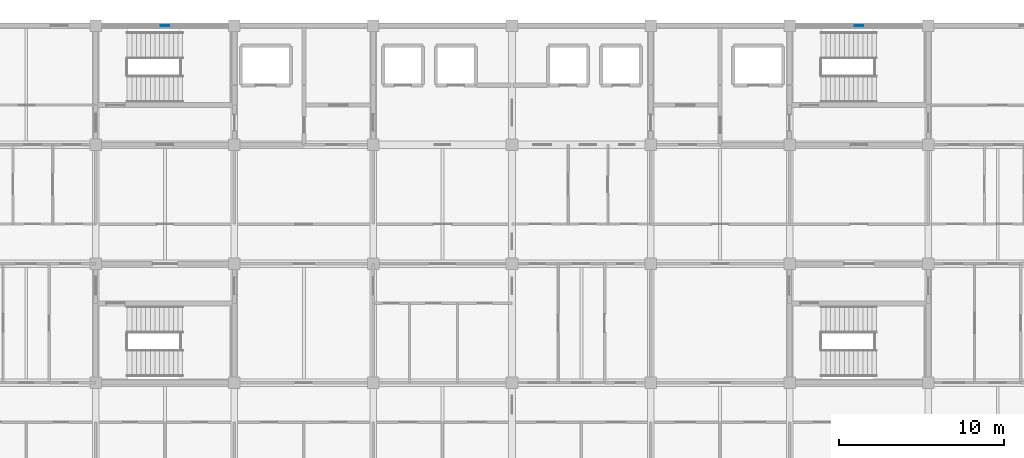
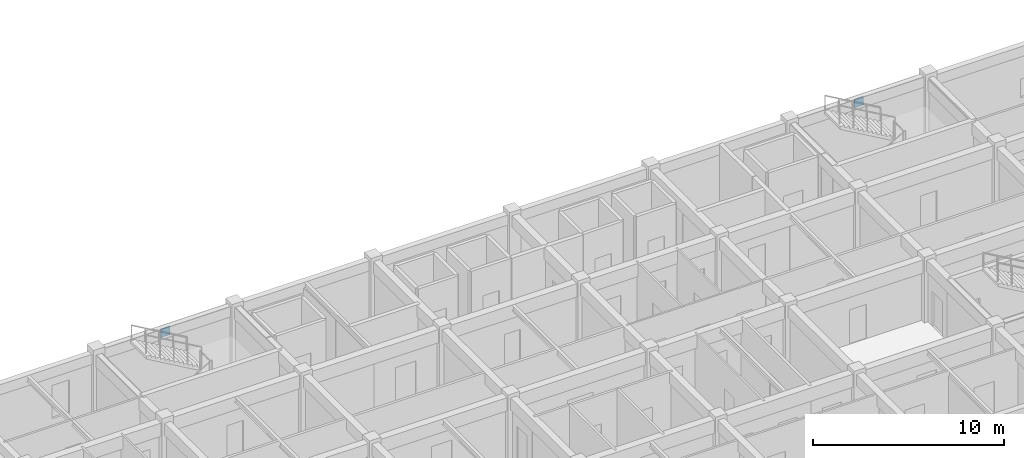
# One storey, part 9 of 19: 2 plates.
"""IFC4 building model written with IfcOpenShell, lengths in metres."""

from ifc_helpers import new_model, si_unit, direction, frame, origin, origin_2d, place, context, subcontext, project, spatial, rectangle, extrude, material, layer, layer_set, type_object, element, save


model = new_model("IFC4")

# Units and contexts
model_context = context("Model", 3, precision=1e-05, world=origin(), true_north=direction((0.0, 1.0)))
body_context = subcontext(model_context, "Body", "Model", "MODEL_VIEW")
ifc_project = project(units=[si_unit("LENGTHUNIT", "METRE"), si_unit("AREAUNIT", "SQUARE_METRE"), si_unit("VOLUMEUNIT", "CUBIC_METRE"), si_unit("PLANEANGLEUNIT", "RADIAN"), si_unit("MASSUNIT", "GRAM", prefix="KILO")], contexts=[model_context])

# Site, building, storey
site_placement = place(None, origin())
site = spatial("IfcSite", under=ifc_project, at=site_placement, CompositionType="ELEMENT")
building_placement = place(site_placement, origin())
building = spatial("IfcBuilding", under=site, at=building_placement, Name="Chengyuan Square Courthouse", CompositionType="ELEMENT")
storey_placement = place(building_placement, frame((0.0, 0.0, 56.10009765625)))
storey = spatial("IfcBuildingStorey", under=building, at=storey_placement, Name="L13", CompositionType="ELEMENT", Elevation=56.10009765625)

# Plates
ifc_material = material(Name="Steel Q355B", Category="steel")
ifc_layer = layer(ifc_material, 0.0400390625)
ifc_layer_set = layer_set([ifc_layer], Name="Steel Q355B")
plate_type = type_object("IfcPlateType", Name="GP-03", PredefinedType="SHEET", material=ifc_layer_set)
for number, where, z_axis, x_axis, name in (
    (1, (63.0, 108.0, 3.33984375), (0.0, 0.0, 1.0), (1.0, 0.0, 0.0), "Brace Gusset Plate GP-L13-07"),
    (2, (105.0, 108.0, 3.33984375), (0.0, 0.0, 1.0), (1.0, 0.0, 0.0), "Brace Gusset Plate GP-L13-12"),
):
    element("IfcPlate", number, at=place(storey_placement, frame(where, z_axis=z_axis, x_axis=x_axis)), inside=storey, type_object=plate_type, Name=name, PredefinedType="SHEET", context=body_context, shape_type="SweptSolid", body=[
        extrude(rectangle(XDim=0.5400390625, YDim=0.0400390625, at=origin_2d()), origin(), (0.0, 0.0, 1.0), 0.5400390625),
    ])

save(model, "model.ifc")
